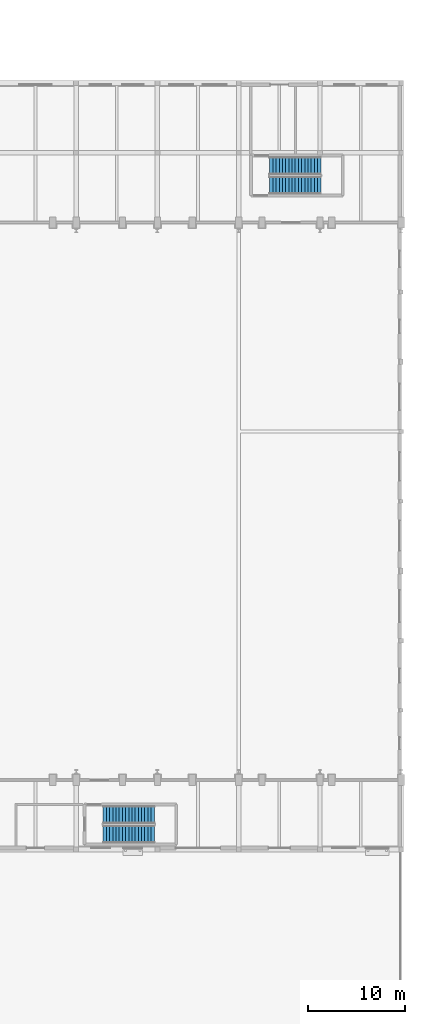
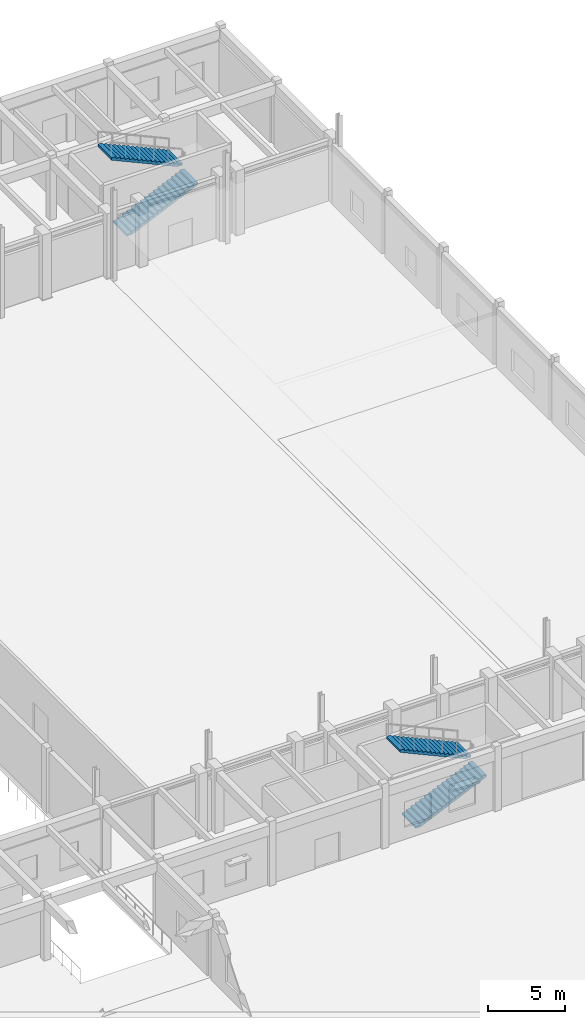
# One storey, part 92 of 121: 4 stair flights, 2 elements without a shape of their own.
"""IFC4 building model written with IfcOpenShell, lengths in metres."""

from ifc_helpers import new_model, si_unit, direction, frame, origin, place, context, subcontext, project, spatial, polyline, outline, extrude, material, layer, layer_set, type_object, element, aggregate, save


model = new_model("IFC4")

# Units and contexts
model_context = context("Model", 3, precision=1e-05, world=origin(), true_north=direction((0.0, 1.0)))
body_context = subcontext(model_context, "Body", "Model", "MODEL_VIEW")
ifc_project = project(units=[si_unit("LENGTHUNIT", "METRE"), si_unit("AREAUNIT", "SQUARE_METRE"), si_unit("VOLUMEUNIT", "CUBIC_METRE"), si_unit("PLANEANGLEUNIT", "RADIAN"), si_unit("MASSUNIT", "GRAM", prefix="KILO")], contexts=[model_context])

# Site, building, storey
site_placement = place(None, origin())
site = spatial("IfcSite", under=ifc_project, at=site_placement, CompositionType="ELEMENT")
building_placement = place(site_placement, origin())
building = spatial("IfcBuilding", under=site, at=building_placement, Name="Malvenik Polytechnic", CompositionType="ELEMENT")
storey_placement = place(building_placement, origin())
storey = spatial("IfcBuildingStorey", under=building, at=storey_placement, Name="L00", CompositionType="ELEMENT", Elevation=0.0)

# Stair, stair flights
ifc_material = material(Name="Concrete C35/45", Category="concrete")
stair_type_1 = type_object("IfcStairType", Name="ARC-STR-ST-13", PredefinedType="HALF_TURN_STAIR", material=ifc_material)
stair_1_placement = place(storey_placement, origin())
stair_1 = element("IfcStair", 1, at=stair_1_placement, inside=storey, type_object=stair_type_1, Name="L00 Escape Stair ST-13", PredefinedType="HALF_TURN_STAIR")
ifc_layer_1 = layer(ifc_material, 0.159912109375)
ifc_layer_set_1 = layer_set([ifc_layer_1], Name="Concrete C35/45")
stair_flight_type_1 = type_object("IfcStairFlightType", Name="ARC-SFL-SFL-180A", PredefinedType="STRAIGHT", material=ifc_layer_set_1)
stair_flight_1_placement = place(storey_placement, frame((154.0, 30.39990234375, 0.0), z_axis=(0.0, 0.0, 1.0), x_axis=(1.0, 0.0, 0.0)))
stair_flight_1 = element("IfcStairFlight", 2, at=stair_flight_1_placement, type_object=stair_flight_type_1, Name="ST-13 flight 1", NumberOfRisers=17, NumberOfTreads=16, PredefinedType="STRAIGHT", RiserHeight=0.15, TreadLength=0.33, context=body_context, shape_type="SweptSolid", body=[
    extrude(outline(polyline([(0.0, 0.0), (0.0, 0.14990234375), (0.330078125, 0.14990234375), (0.330078125, 0.300048828125), (0.659912109375, 0.300048828125), (0.659912109375, 0.449951171875), (0.989990234375, 0.449951171875), (0.989990234375, 0.60009765625), (1.320068359375, 0.60009765625), (1.320068359375, 0.75), (1.64990234375, 0.75), (1.64990234375, 0.89990234375), (1.97998046875, 0.89990234375), (1.97998046875, 1.050048828125), (2.31005859375, 1.050048828125), (2.31005859375, 1.199951171875), (2.639892578125, 1.199951171875), (2.639892578125, 1.35009765625), (2.969970703125, 1.35009765625), (2.969970703125, 1.5), (3.300048828125, 1.5), (3.300048828125, 1.64990234375), (3.6298828125, 1.64990234375), (3.6298828125, 1.800048828125), (3.9599609375, 1.800048828125), (3.9599609375, 1.949951171875), (4.2900390625, 1.949951171875), (4.2900390625, 2.10009765625), (4.6201171875, 2.10009765625), (4.6201171875, 2.25), (4.949951171875, 2.25), (4.949951171875, 2.39990234375), (5.280029296875, 2.39990234375), (5.280029296875, 2.550048828125), (5.280029296875, 2.224365234375), (0.386474609375, 0.0), (0.0, 0.0)])), frame((0.0, 0.89990234375, 0.0), z_axis=(0.0, -1.0, 0.0), x_axis=(1.0, 0.0, 0.0)), (0.0, 0.0, 1.0), 1.800048828125),
])
stair_flight_2_placement = place(storey_placement, frame((159.280029296875, 32.39990234375, 2.550048828125), z_axis=(0.0, 0.0, 1.0), x_axis=(-1.0, 0.0, 0.0)))
stair_flight_2 = element("IfcStairFlight", 3, at=stair_flight_2_placement, type_object=stair_flight_type_1, Name="ST-13 flight 2", NumberOfRisers=17, NumberOfTreads=16, PredefinedType="STRAIGHT", RiserHeight=0.15, TreadLength=0.33, context=body_context, shape_type="SweptSolid", body=[
    extrude(outline(polyline([(0.0, 0.0), (0.0, 0.14990234375), (0.330078125, 0.14990234375), (0.330078125, 0.300048828125), (0.659912109375, 0.300048828125), (0.659912109375, 0.449951171875), (0.989990234375, 0.449951171875), (0.989990234375, 0.60009765625), (1.320068359375, 0.60009765625), (1.320068359375, 0.75), (1.64990234375, 0.75), (1.64990234375, 0.89990234375), (1.97998046875, 0.89990234375), (1.97998046875, 1.050048828125), (2.31005859375, 1.050048828125), (2.31005859375, 1.199951171875), (2.639892578125, 1.199951171875), (2.639892578125, 1.35009765625), (2.969970703125, 1.35009765625), (2.969970703125, 1.5), (3.300048828125, 1.5), (3.300048828125, 1.64990234375), (3.6298828125, 1.64990234375), (3.6298828125, 1.800048828125), (3.9599609375, 1.800048828125), (3.9599609375, 1.949951171875), (4.2900390625, 1.949951171875), (4.2900390625, 2.10009765625), (4.6201171875, 2.10009765625), (4.6201171875, 2.25), (4.949951171875, 2.25), (4.949951171875, 2.39990234375), (5.280029296875, 2.39990234375), (5.280029296875, 2.550048828125), (5.280029296875, 2.224365234375), (0.386474609375, 0.0), (0.0, 0.0)])), frame((0.0, 0.89990234375, 0.0), z_axis=(0.0, -1.0, 0.0), x_axis=(1.0, 0.0, 0.0)), (0.0, 0.0, 1.0), 1.800048828125),
])
aggregate(stair_1, [stair_flight_1, stair_flight_2])

stair_type_2 = type_object("IfcStairType", Name="ARC-STR-ST-12", PredefinedType="HALF_TURN_STAIR", material=ifc_material)
stair_2_placement = place(storey_placement, origin())
stair_2 = element("IfcStair", 4, at=stair_2_placement, inside=storey, type_object=stair_type_2, Name="L00 Escape Stair ST-12", PredefinedType="HALF_TURN_STAIR")
ifc_layer_2 = layer(ifc_material, 0.179931640625)
ifc_layer_set_2 = layer_set([ifc_layer_2], Name="Concrete C35/45")
stair_flight_type_2 = type_object("IfcStairFlightType", Name="ARC-SFL-SFL-180B", PredefinedType="STRAIGHT", material=ifc_layer_set_2)
stair_flight_3_placement = place(storey_placement, frame((171.199951171875, 97.449951171875, 0.0), z_axis=(0.0, 0.0, 1.0), x_axis=(1.0, 0.0, 0.0)))
stair_flight_3 = element("IfcStairFlight", 5, at=stair_flight_3_placement, type_object=stair_flight_type_2, Name="ST-12 flight 1", NumberOfRisers=17, NumberOfTreads=16, PredefinedType="STRAIGHT", RiserHeight=0.15, TreadLength=0.33, context=body_context, shape_type="SweptSolid", body=[
    extrude(outline(polyline([(0.0, 0.0), (0.0, 0.14990234375), (0.330078125, 0.14990234375), (0.330078125, 0.300048828125), (0.659912109375, 0.300048828125), (0.659912109375, 0.449951171875), (0.989990234375, 0.449951171875), (0.989990234375, 0.60009765625), (1.320068359375, 0.60009765625), (1.320068359375, 0.75), (1.64990234375, 0.75), (1.64990234375, 0.89990234375), (1.97998046875, 0.89990234375), (1.97998046875, 1.050048828125), (2.31005859375, 1.050048828125), (2.31005859375, 1.199951171875), (2.639892578125, 1.199951171875), (2.639892578125, 1.35009765625), (2.969970703125, 1.35009765625), (2.969970703125, 1.5), (3.300048828125, 1.5), (3.300048828125, 1.64990234375), (3.6298828125, 1.64990234375), (3.6298828125, 1.800048828125), (3.9599609375, 1.800048828125), (3.9599609375, 1.949951171875), (4.2900390625, 1.949951171875), (4.2900390625, 2.10009765625), (4.6201171875, 2.10009765625), (4.6201171875, 2.25), (4.949951171875, 2.25), (4.949951171875, 2.39990234375), (5.280029296875, 2.39990234375), (5.280029296875, 2.550048828125), (5.280029296875, 2.224365234375), (0.386474609375, 0.0), (0.0, 0.0)])), frame((0.0, 0.89990234375, 0.0), z_axis=(0.0, -1.0, 0.0), x_axis=(1.0, 0.0, 0.0)), (0.0, 0.0, 1.0), 1.800048828125),
])
stair_flight_4_placement = place(storey_placement, frame((176.47998046875, 99.449951171875, 2.550048828125), z_axis=(0.0, 0.0, 1.0), x_axis=(-1.0, 0.0, 0.0)))
stair_flight_4 = element("IfcStairFlight", 6, at=stair_flight_4_placement, type_object=stair_flight_type_2, Name="ST-12 flight 2", NumberOfRisers=17, NumberOfTreads=16, PredefinedType="STRAIGHT", RiserHeight=0.15, TreadLength=0.33, context=body_context, shape_type="SweptSolid", body=[
    extrude(outline(polyline([(0.0, 0.0), (0.0, 0.14990234375), (0.330078125, 0.14990234375), (0.330078125, 0.300048828125), (0.659912109375, 0.300048828125), (0.659912109375, 0.449951171875), (0.989990234375, 0.449951171875), (0.989990234375, 0.60009765625), (1.320068359375, 0.60009765625), (1.320068359375, 0.75), (1.64990234375, 0.75), (1.64990234375, 0.89990234375), (1.97998046875, 0.89990234375), (1.97998046875, 1.050048828125), (2.31005859375, 1.050048828125), (2.31005859375, 1.199951171875), (2.639892578125, 1.199951171875), (2.639892578125, 1.35009765625), (2.969970703125, 1.35009765625), (2.969970703125, 1.5), (3.300048828125, 1.5), (3.300048828125, 1.64990234375), (3.6298828125, 1.64990234375), (3.6298828125, 1.800048828125), (3.9599609375, 1.800048828125), (3.9599609375, 1.949951171875), (4.2900390625, 1.949951171875), (4.2900390625, 2.10009765625), (4.6201171875, 2.10009765625), (4.6201171875, 2.25), (4.949951171875, 2.25), (4.949951171875, 2.39990234375), (5.280029296875, 2.39990234375), (5.280029296875, 2.550048828125), (5.280029296875, 2.224365234375), (0.386474609375, 0.0), (0.0, 0.0)])), frame((0.0, 0.89990234375, 0.0), z_axis=(0.0, -1.0, 0.0), x_axis=(1.0, 0.0, 0.0)), (0.0, 0.0, 1.0), 1.800048828125),
])
aggregate(stair_2, [stair_flight_3, stair_flight_4])

save(model, "model.ifc")
